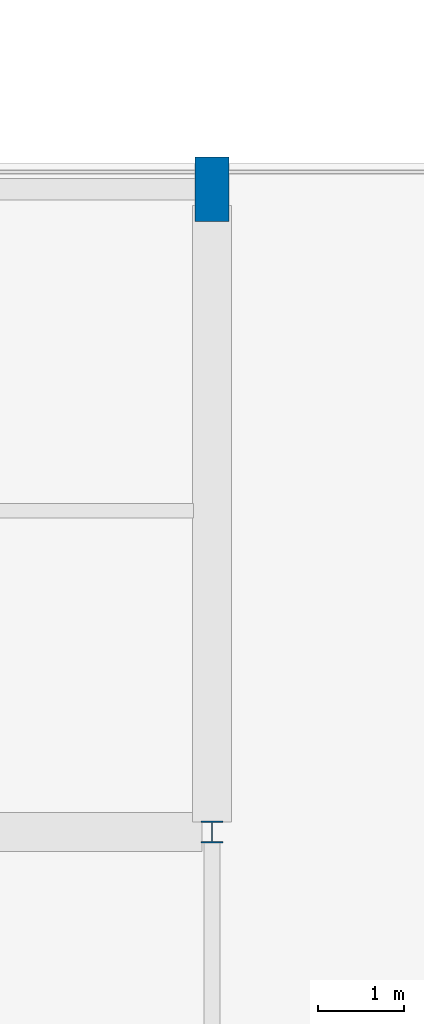
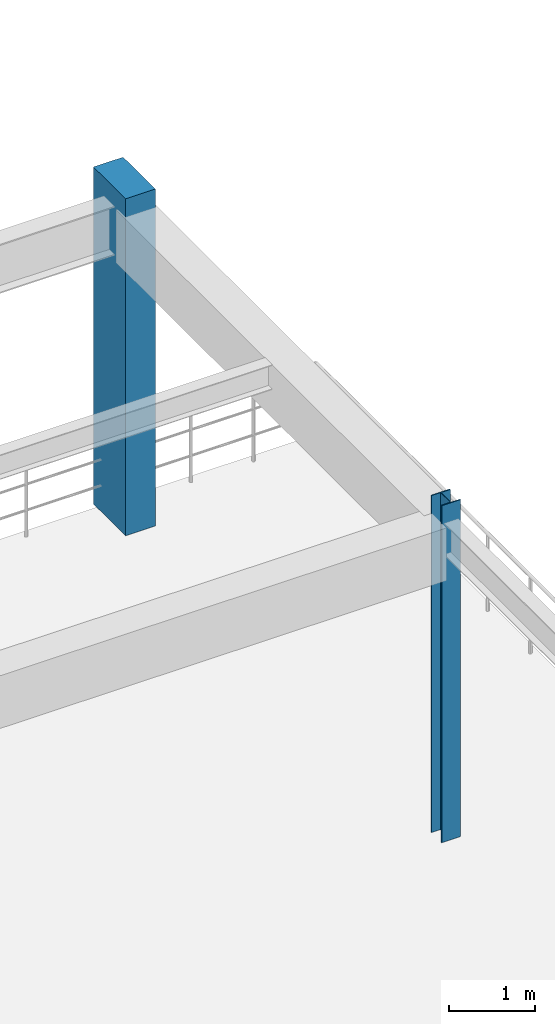
# One storey, part 5 of 144: 2 columns.
"""IFC4 building model written with IfcOpenShell, lengths in metres."""

from ifc_helpers import new_model, si_unit, direction, frame, origin, origin_2d, place, context, subcontext, project, spatial, rectangle, i_section, extrude, material, material_profile, profile_set, type_object, element, save


model = new_model("IFC4")

# Units and contexts
model_context = context("Model", 3, precision=1e-05, world=origin(), true_north=direction((0.0, 1.0)))
body_context = subcontext(model_context, "Body", "Model", "MODEL_VIEW")
ifc_project = project(units=[si_unit("LENGTHUNIT", "METRE"), si_unit("AREAUNIT", "SQUARE_METRE"), si_unit("VOLUMEUNIT", "CUBIC_METRE"), si_unit("PLANEANGLEUNIT", "RADIAN"), si_unit("MASSUNIT", "GRAM", prefix="KILO")], contexts=[model_context])

# Site, building, storey
site_placement = place(None, origin())
site = spatial("IfcSite", under=ifc_project, at=site_placement, CompositionType="ELEMENT")
building_placement = place(site_placement, origin())
building = spatial("IfcBuilding", under=site, at=building_placement, Name="Cinderbank Siding Concert Hall", CompositionType="ELEMENT")
storey_placement = place(building_placement, frame((0.0, 0.0, 5.39990234375)))
storey = spatial("IfcBuildingStorey", under=building, at=storey_placement, Name="L02", CompositionType="ELEMENT", Elevation=5.39990234375)

# Columns
ifc_material_1 = material(Name="Structural steel AS/NZS 3679.1 Grade 350 (340 MPa)", Category="steel")
ifc_material_profile_1 = material_profile(ifc_material_1, i_section(OverallWidth=0.25390625, OverallDepth=0.25390625, WebThickness=0.008544921875, FlangeThickness=0.01416015625, at=origin_2d()), Name="250UC72.9", Category="LoadBearing")
ifc_profile_set_1 = profile_set([ifc_material_profile_1], Name="Structural steel AS/NZS 3679.1 Grade 350 (340 MPa)")
column_type_1 = type_object("IfcColumnType", Name="C-UC250 250UC72.9", PredefinedType="COLUMN", material=ifc_profile_set_1)
column_1_placement = place(storey_placement, frame((46.0, 28.0, 0.0), z_axis=(0.0, 0.0, 1.0), x_axis=(1.0, 0.0, 0.0)))
element("IfcColumn", 1, at=column_1_placement, inside=storey, type_object=column_type_1, Name="L02 Column COL-V2-6-4", PredefinedType="COLUMN", context=body_context, shape_type="SweptSolid", body=[
    extrude(i_section(OverallWidth=0.25390625, OverallDepth=0.25390625, WebThickness=0.008544921875, FlangeThickness=0.01416015625, at=origin_2d()), origin(), (0.0, 0.0, 1.0), 4.800048828125),
])
ifc_material_2 = material(Name="Reinforced concrete AS 3600 N50 (50 MPa)", Category="concrete")
ifc_material_profile_2 = material_profile(ifc_material_2, rectangle(XDim=0.39990234375, YDim=0.75, at=origin_2d()), Name="RC-PIER-400x750", Category="LoadBearing")
ifc_profile_set_2 = profile_set([ifc_material_profile_2], Name="Reinforced concrete AS 3600 N50 (50 MPa)")
column_type_2 = type_object("IfcColumnType", Name="PL-RC750 RC-PIER-400x750", PredefinedType="PILASTER", material=ifc_profile_set_2)
column_2_placement = place(storey_placement, frame((46.0, 35.5, 0.0), z_axis=(0.0, 0.0, 1.0), x_axis=(1.0, 0.0, 0.0)))
element("IfcColumn", 2, at=column_2_placement, inside=storey, type_object=column_type_2, Name="L02 Column COL-V2-6-5", PredefinedType="PILASTER", context=body_context, shape_type="SweptSolid", body=[
    extrude(rectangle(XDim=0.39990234375, YDim=0.75, at=origin_2d()), origin(), (0.0, 0.0, 1.0), 4.800048828125),
])

save(model, "model.ifc")
